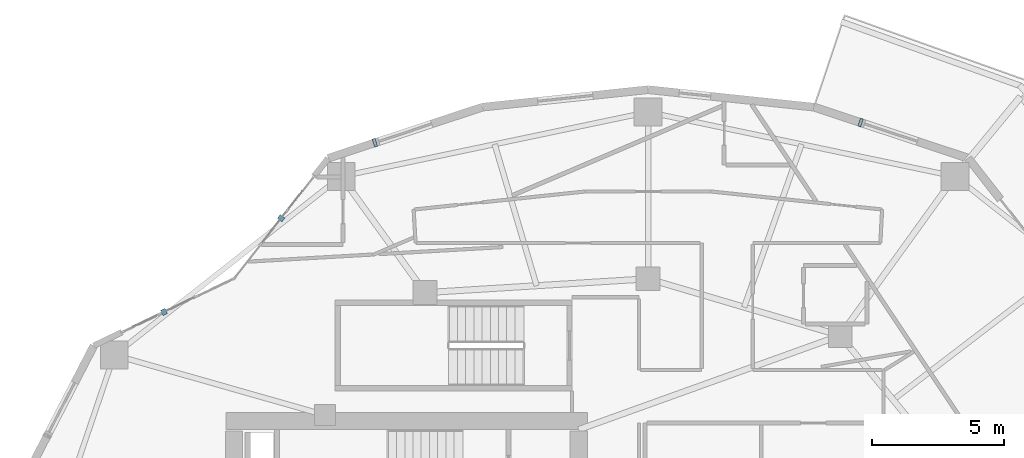
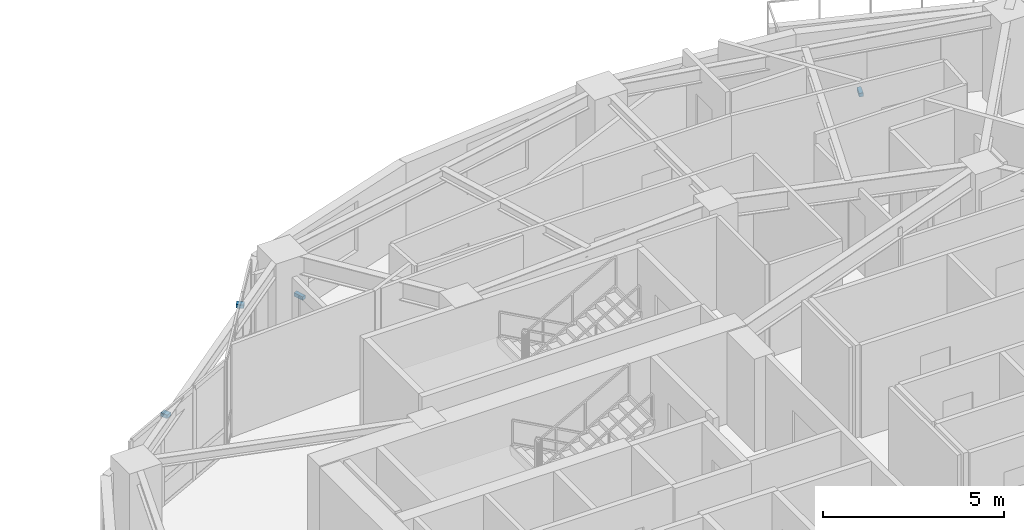
# One storey, part 14 of 18: 4 discrete accessories.
"""IFC4 building model written with IfcOpenShell, lengths in metres."""

from ifc_helpers import new_model, si_unit, direction, frame, origin, origin_2d, place, context, subcontext, project, spatial, rectangle, extrude, material, type_object, element, save


model = new_model("IFC4")

# Units and contexts
model_context = context("Model", 3, precision=1e-05, world=origin(), true_north=direction((0.0, 1.0)))
body_context = subcontext(model_context, "Body", "Model", "MODEL_VIEW")
ifc_project = project(units=[si_unit("LENGTHUNIT", "METRE"), si_unit("AREAUNIT", "SQUARE_METRE"), si_unit("VOLUMEUNIT", "CUBIC_METRE"), si_unit("PLANEANGLEUNIT", "RADIAN"), si_unit("MASSUNIT", "GRAM", prefix="KILO")], contexts=[model_context])

# Site, building, storey
site_placement = place(None, origin())
site = spatial("IfcSite", under=ifc_project, at=site_placement, CompositionType="ELEMENT")
building_placement = place(site_placement, origin())
building = spatial("IfcBuilding", under=site, at=building_placement, Name="Kolvaren Gate Tower and Convention Centre", CompositionType="ELEMENT")
storey_placement = place(building_placement, frame((0.0, 0.0, 108.699951171875)))
storey = spatial("IfcBuildingStorey", under=building, at=storey_placement, Name="L26", CompositionType="ELEMENT", Elevation=108.699951171875)

# Discrete accessories
ifc_material = material(Name="Anodized Architectural Aluminium Alloy 6063-T6", Category="aluminium")
discrete_accessory_type = type_object("IfcDiscreteAccessoryType", Name="ARCH-ACC-BRACKET-120", PredefinedType="BRACKET", material=ifc_material)
for number, where, z_axis, x_axis, name in (
    (1, (38.153564453125, 45.104736328125, 0.2900390625), (0.0, 0.0, 1.0), (0.949240081615, -0.314552487599, 0.0), "Ceramic Fin Wall Anchor Bracket FBK-L26-04"),
    (2, (19.7998046875, 44.343505859375, 0.2900390625), (0.0, 0.0, 1.0), (0.949238434609, 0.314557457804, 0.0), "Ceramic Fin Wall Anchor Bracket FBK-L26-07"),
):
    element("IfcDiscreteAccessory", number, at=place(storey_placement, frame(where, z_axis=z_axis, x_axis=x_axis)), inside=storey, type_object=discrete_accessory_type, Name=name, PredefinedType="BRACKET", context=body_context, shape_type="SweptSolid", body=[
        extrude(rectangle(XDim=0.1201171875, YDim=0.320068359375, at=origin_2d()), origin(), (0.0, 0.0, 1.0), 0.1201171875),
    ])
for number, where, z_axis, x_axis, name in (
    (3, (16.25634765625, 41.490234375, 2.949951171875), (0.0, 0.0, 1.0), (0.616435493395, 0.787405411769, 0.0), "Solar Screen Spandrel Anchor Bracket BK-L26-08"),
    (4, (11.82958984375, 37.948974609375, 2.949951171875), (0.0, 0.0, 1.0), (0.901362925045, 0.433064518696, 0.0), "Solar Screen Spandrel Anchor Bracket BK-L26-09"),
):
    element("IfcDiscreteAccessory", number, at=place(storey_placement, frame(where, z_axis=z_axis, x_axis=x_axis)), inside=storey, type_object=discrete_accessory_type, Name=name, PredefinedType="BRACKET", context=body_context, shape_type="SweptSolid", body=[
        extrude(rectangle(XDim=0.179931640625, YDim=0.219970703125, at=origin_2d()), origin(), (0.0, 0.0, 1.0), 0.1201171875),
    ])

save(model, "model.ifc")
